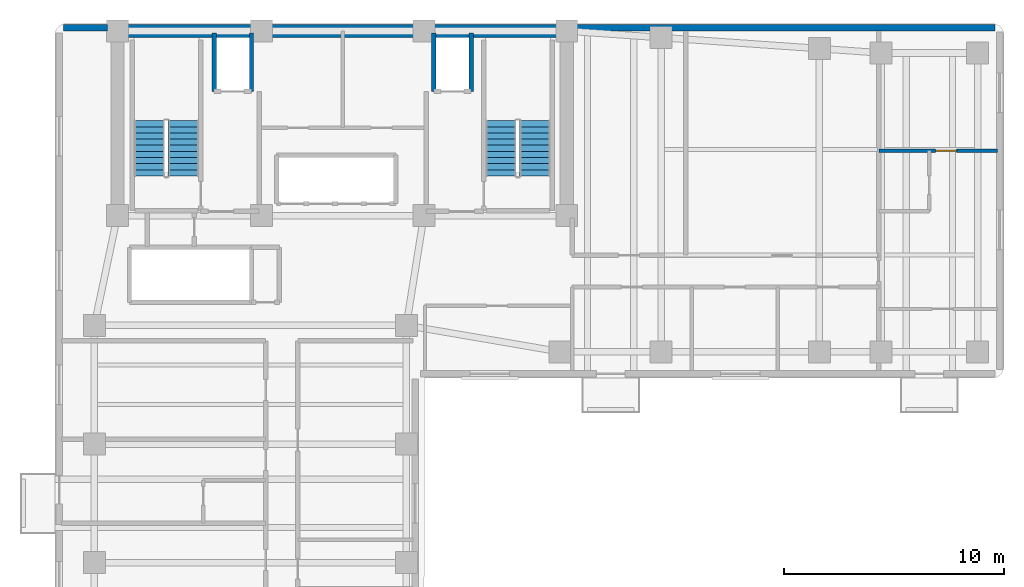
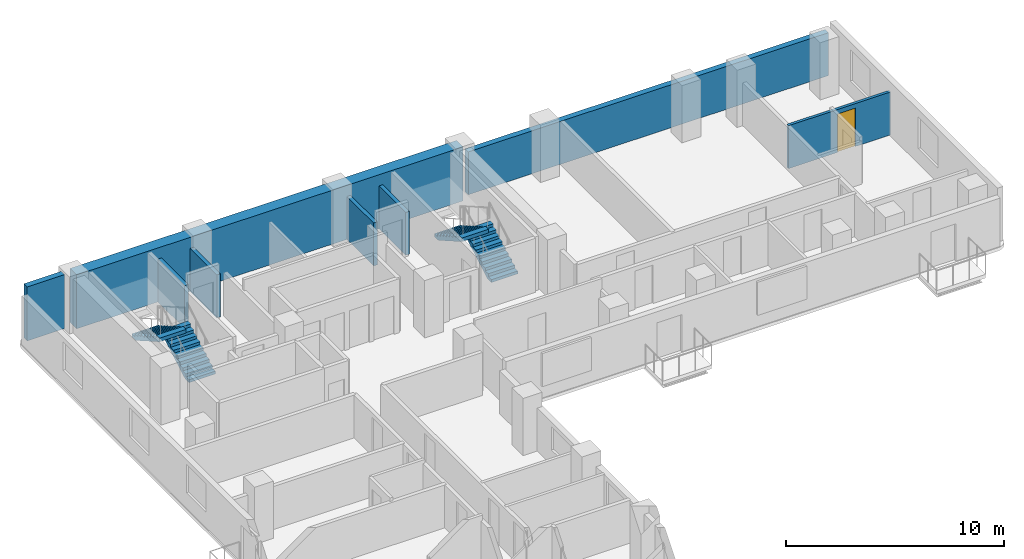
# One storey, part 5 of 7: 8 walls, 4 stair flights, 1 door, 1 opening, 2 elements without a shape of their own.
"""IFC4 building model written with IfcOpenShell, lengths in metres."""

from ifc_helpers import new_model, si_unit, direction, frame, frame_2d, origin, place, context, subcontext, project, spatial, polyline, rectangle, outline, extrude, material, layer, layer_set, type_object, element, fill, aggregate, save


model = new_model("IFC4")

# Units and contexts
model_context = context("Model", 3, precision=1e-05, world=origin(), true_north=direction((0.0, 1.0)))
body_context = subcontext(model_context, "Body", "Model", "MODEL_VIEW")
ifc_project = project(units=[si_unit("LENGTHUNIT", "METRE"), si_unit("AREAUNIT", "SQUARE_METRE"), si_unit("VOLUMEUNIT", "CUBIC_METRE"), si_unit("PLANEANGLEUNIT", "RADIAN"), si_unit("MASSUNIT", "GRAM", prefix="KILO")], contexts=[model_context])

# Site, building, storey
site_placement = place(None, origin())
site = spatial("IfcSite", under=ifc_project, at=site_placement, CompositionType="ELEMENT")
building_placement = place(site_placement, origin())
building = spatial("IfcBuilding", under=site, at=building_placement, Name="Kuzgunbayir Cultural Tower", CompositionType="ELEMENT")
storey_placement = place(building_placement, frame((0.0, 0.0, 110.60009765625)))
storey = spatial("IfcBuildingStorey", under=building, at=storey_placement, Name="L31", CompositionType="ELEMENT", Elevation=110.60009765625)

# Walls
ifc_material_1 = material(Name="Concrete C60/75", Category="concrete")
ifc_layer_1 = layer(ifc_material_1, 0.60009765625)
ifc_layer_set_1 = layer_set([ifc_layer_1], Name="Concrete C60/75")
wall_type_1 = type_object("IfcWallType", Name="WAL-CORE-600", PredefinedType="SHEAR", material=ifc_layer_set_1)
wall_1_placement = place(storey_placement, frame((6.449951171875, 42.199951171875, 0.0), z_axis=(0.0, 0.0, 1.0), x_axis=(1.0, 0.0, 0.0)))
element("IfcWall", 1, at=wall_1_placement, inside=storey, type_object=wall_type_1, Name="L31 T1 Core North Shear Wall", PredefinedType="SHEAR", context=body_context, shape_type="SweptSolid", body=[
    extrude(rectangle(XDim=20.449951171875, YDim=0.60009765625, at=frame_2d((10.22509765625, 0.0))), origin(), (0.0, 0.0, 1.0), 3.02001953125),
])
ifc_material_2 = material(Name="Anatolian Cream Limestone", Category="masonry")
ifc_layer_2 = layer(ifc_material_2, 0.300048828125)
ifc_layer_set_2 = layer_set([ifc_layer_2], Name="Anatolian Cream Limestone")
wall_type_2 = type_object("IfcWallType", Name="WAL-EXT-STONE-300", PredefinedType="STANDARD", material=ifc_layer_set_2)
wall_2_placement = place(storey_placement, frame((46.39990234375, 42.35009765625, 0.0), z_axis=(0.0, 0.0, 1.0), x_axis=(-1.0, 0.0, 0.0)))
element("IfcWall", 2, at=wall_2_placement, inside=storey, type_object=wall_type_2, Name="L31 North Wing B Limestone Wall", PredefinedType="STANDARD", context=body_context, shape_type="SweptSolid", body=[
    extrude(rectangle(XDim=19.0498046875, YDim=0.300048828125, at=frame_2d((9.52490234375, 0.0))), origin(), (0.0, 0.0, 1.0), 2.39990234375),
])
wall_3_placement = place(storey_placement, frame((6.0, 42.35009765625, 0.0), z_axis=(0.0, 0.0, 1.0), x_axis=(-1.0, 0.0, 0.0)))
element("IfcWall", 3, at=wall_3_placement, inside=storey, type_object=wall_type_2, Name="L31 Core North-West Spandrel Link", PredefinedType="STANDARD", context=body_context, shape_type="SweptSolid", body=[
    extrude(rectangle(XDim=2.0, YDim=0.300048828125, at=frame_2d((1.0, 0.0))), origin(), (0.0, 0.0, 1.0), 3.02001953125),
])

# Wall, opening, door
ifc_material_3 = material(Name="Acoustic Double-Stud Drywall", Category="gypsum")
ifc_layer_3 = layer(ifc_material_3, 0.14990234375)
ifc_layer_set_3 = layer_set([ifc_layer_3], Name="Acoustic Double-Stud Drywall")
wall_type_3 = type_object("IfcWallType", Name="WAL-PART-ACOUSTIC-150", PredefinedType="PARTITIONING", material=ifc_layer_set_3)
wall_4_placement = place(storey_placement, frame((41.10009765625, 36.75, 0.0), z_axis=(0.0, 0.0, 1.0), x_axis=(1.0, 0.0, 0.0)))
wall_4 = element("IfcWall", 4, at=wall_4_placement, inside=storey, type_object=wall_type_3, Name="L31 Corner Suite Bedroom Wall", PredefinedType="PARTITIONING", context=body_context, shape_type="SweptSolid", body=[
    extrude(rectangle(XDim=5.39990234375, YDim=0.14990234375, at=frame_2d((2.699951171875, 0.0))), origin(), (0.0, 0.0, 1.0), 2.39990234375),
])
opening_placement = place(wall_4_placement, frame((2.590087890625, 0.0, 0.0)))
opening = element("IfcOpeningElement", 5, at=opening_placement, cuts=wall_4, Name="Opening DI-90", PredefinedType="OPENING", context=body_context, shape_type="SweptSolid", body=[
    extrude(rectangle(XDim=0.949951171875, YDim=2.14990234375, at=frame_2d((0.47509765625, 1.074951171875))), frame((0.0, 0.0849609375, 0.0), z_axis=(0.0, -1.0, 0.0), x_axis=(1.0, 0.0, 0.0)), (0.0, 0.0, 1.0), 0.169921875),
])
ifc_material_4 = material(Name="Veneered Oak Single Leaf", Category="wood")
door_type = type_object("IfcDoorType", Name="DR-INT-90", OperationType="NOTDEFINED", PredefinedType="DOOR", material=ifc_material_4)
door_placement = place(opening_placement, origin())
door = element("IfcDoor", 6, at=door_placement, inside=storey, type_object=door_type, Name="L31 Corner Bedroom Door", OperationType="SINGLE_SWING_RIGHT", OverallHeight=2.14990234375, OverallWidth=0.949951171875, PredefinedType="DOOR", context=body_context, shape_type="SweptSolid", body=[
    extrude(rectangle(XDim=0.949951171875, YDim=2.14990234375, at=frame_2d((0.47509765625, 1.074951171875))), frame((0.0, 0.02490234375, 0.0), z_axis=(0.0, -1.0, 0.0), x_axis=(1.0, 0.0, 0.0)), (0.0, 0.0, 1.0), 0.050048828125),
])
fill(opening, door)

# Walls
ifc_material_5 = material(Name="Concrete C40/50", Category="concrete")
ifc_layer_4 = layer(ifc_material_5, 0.199951171875)
ifc_layer_set_4 = layer_set([ifc_layer_4], Name="Concrete C40/50")
wall_type_4 = type_object("IfcWallType", Name="WAL-SHAFT-200", PredefinedType="MOVABLE", material=ifc_layer_set_4)
for number, where, z_axis, x_axis, name in (
    (7, (10.85009765625, 39.449951171875, 0.0), (0.0, 0.0, 1.0), (0.0, 1.0, 0.0), "L31 FFL-1 Shaft West Wall"),
    (8, (12.550048828125, 39.449951171875, 0.0), (0.0, 0.0, 1.0), (0.0, 1.0, 0.0), "L31 FFL-1 Shaft East Wall"),
    (9, (20.85009765625, 39.449951171875, 0.0), (0.0, 0.0, 1.0), (0.0, 1.0, 0.0), "L31 FFL-2 Shaft West Wall"),
    (10, (22.550048828125, 39.449951171875, 0.0), (0.0, 0.0, 1.0), (0.0, 1.0, 0.0), "L31 FFL-2 Shaft East Wall"),
):
    element("IfcWall", number, at=place(storey_placement, frame(where, z_axis=z_axis, x_axis=x_axis)), inside=storey, type_object=wall_type_4, Name=name, PredefinedType="MOVABLE", context=body_context, shape_type="SweptSolid", body=[
        extrude(rectangle(XDim=2.650146484375, YDim=0.199951171875, at=frame_2d((1.3251953125, 0.0))), origin(), (0.0, 0.0, 1.0), 2.39990234375),
    ])

# Stair, stair flights
stair_type = type_object("IfcStairType", Name="STR-EXIT-CORE", PredefinedType="HALF_TURN_STAIR", material=ifc_material_5)
stair_1_placement = place(storey_placement, origin())
stair_1 = element("IfcStair", 11, at=stair_1_placement, inside=storey, type_object=stair_type, Name="L31 ST-1", PredefinedType="HALF_TURN_STAIR")
stair_flight_type = type_object("IfcStairFlightType", Name="STRF-RC-140", PredefinedType="STRAIGHT", material=ifc_material_5)
stair_flight_1_placement = place(storey_placement, frame((9.4599609375, 35.60009765625, 0.0), z_axis=(0.0, 0.0, 1.0), x_axis=(0.0, 1.0, 0.0)))
stair_flight_1 = element("IfcStairFlight", 12, at=stair_flight_1_placement, type_object=stair_flight_type, Name="ST-1 flight 1", NumberOfRisers=10, NumberOfTreads=9, PredefinedType="STRAIGHT", RiserHeight=0.16, TreadLength=0.28, context=body_context, shape_type="SweptSolid", body=[
    extrude(outline(polyline([(0.0, 0.0), (0.0, 0.159912109375), (0.280029296875, 0.159912109375), (0.280029296875, 0.320068359375), (0.56005859375, 0.320068359375), (0.56005859375, 0.47998046875), (0.840087890625, 0.47998046875), (0.840087890625, 0.639892578125), (1.1201171875, 0.639892578125), (1.1201171875, 0.800048828125), (1.39990234375, 0.800048828125), (1.39990234375, 0.9599609375), (1.679931640625, 0.9599609375), (1.679931640625, 1.1201171875), (1.9599609375, 1.1201171875), (1.9599609375, 1.280029296875), (2.239990234375, 1.280029296875), (2.239990234375, 1.43994140625), (2.52001953125, 1.43994140625), (2.52001953125, 1.60009765625), (2.52001953125, 1.232666015625), (0.362548828125, 0.0), (0.0, 0.0)])), frame((0.0, 0.699951171875, 0.0), z_axis=(0.0, -1.0, 0.0), x_axis=(1.0, 0.0, 0.0)), (0.0, 0.0, 1.0), 1.39990234375),
])
stair_flight_2_placement = place(storey_placement, frame((7.89990234375, 38.1201171875, 1.599853515625), z_axis=(0.0, 0.0, 1.0), x_axis=(0.0, -1.0, 0.0)))
stair_flight_2 = element("IfcStairFlight", 13, at=stair_flight_2_placement, type_object=stair_flight_type, Name="ST-1 flight 2", NumberOfRisers=10, NumberOfTreads=9, PredefinedType="STRAIGHT", RiserHeight=0.16, TreadLength=0.28, context=body_context, shape_type="SweptSolid", body=[
    extrude(outline(polyline([(0.0, 0.0), (0.0, 0.159912109375), (0.280029296875, 0.159912109375), (0.280029296875, 0.320068359375), (0.56005859375, 0.320068359375), (0.56005859375, 0.47998046875), (0.840087890625, 0.47998046875), (0.840087890625, 0.639892578125), (1.1201171875, 0.639892578125), (1.1201171875, 0.800048828125), (1.39990234375, 0.800048828125), (1.39990234375, 0.9599609375), (1.679931640625, 0.9599609375), (1.679931640625, 1.1201171875), (1.9599609375, 1.1201171875), (1.9599609375, 1.280029296875), (2.239990234375, 1.280029296875), (2.239990234375, 1.43994140625), (2.52001953125, 1.43994140625), (2.52001953125, 1.60009765625), (2.52001953125, 1.232666015625), (0.362548828125, 0.0), (0.0, 0.0)])), frame((0.0, 0.699951171875, 0.0), z_axis=(0.0, -1.0, 0.0), x_axis=(1.0, 0.0, 0.0)), (0.0, 0.0, 1.0), 1.39990234375),
])
aggregate(stair_1, [stair_flight_1, stair_flight_2])

stair_2_placement = place(storey_placement, origin())
stair_2 = element("IfcStair", 14, at=stair_2_placement, inside=storey, type_object=stair_type, Name="L31 ST-2", PredefinedType="HALF_TURN_STAIR")
stair_flight_3_placement = place(storey_placement, frame((25.4599609375, 35.60009765625, 0.0), z_axis=(0.0, 0.0, 1.0), x_axis=(0.0, 1.0, 0.0)))
stair_flight_3 = element("IfcStairFlight", 15, at=stair_flight_3_placement, type_object=stair_flight_type, Name="ST-2 flight 1", NumberOfRisers=10, NumberOfTreads=9, PredefinedType="STRAIGHT", RiserHeight=0.16, TreadLength=0.28, context=body_context, shape_type="SweptSolid", body=[
    extrude(outline(polyline([(0.0, 0.0), (0.0, 0.159912109375), (0.280029296875, 0.159912109375), (0.280029296875, 0.320068359375), (0.56005859375, 0.320068359375), (0.56005859375, 0.47998046875), (0.840087890625, 0.47998046875), (0.840087890625, 0.639892578125), (1.1201171875, 0.639892578125), (1.1201171875, 0.800048828125), (1.39990234375, 0.800048828125), (1.39990234375, 0.9599609375), (1.679931640625, 0.9599609375), (1.679931640625, 1.1201171875), (1.9599609375, 1.1201171875), (1.9599609375, 1.280029296875), (2.239990234375, 1.280029296875), (2.239990234375, 1.43994140625), (2.52001953125, 1.43994140625), (2.52001953125, 1.60009765625), (2.52001953125, 1.232666015625), (0.362548828125, 0.0), (0.0, 0.0)])), frame((0.0, 0.699951171875, 0.0), z_axis=(0.0, -1.0, 0.0), x_axis=(1.0, 0.0, 0.0)), (0.0, 0.0, 1.0), 1.39990234375),
])
stair_flight_4_placement = place(storey_placement, frame((23.89990234375, 38.1201171875, 1.599853515625), z_axis=(0.0, 0.0, 1.0), x_axis=(0.0, -1.0, 0.0)))
stair_flight_4 = element("IfcStairFlight", 16, at=stair_flight_4_placement, type_object=stair_flight_type, Name="ST-2 flight 2", NumberOfRisers=10, NumberOfTreads=9, PredefinedType="STRAIGHT", RiserHeight=0.16, TreadLength=0.28, context=body_context, shape_type="SweptSolid", body=[
    extrude(outline(polyline([(0.0, 0.0), (0.0, 0.159912109375), (0.280029296875, 0.159912109375), (0.280029296875, 0.320068359375), (0.56005859375, 0.320068359375), (0.56005859375, 0.47998046875), (0.840087890625, 0.47998046875), (0.840087890625, 0.639892578125), (1.1201171875, 0.639892578125), (1.1201171875, 0.800048828125), (1.39990234375, 0.800048828125), (1.39990234375, 0.9599609375), (1.679931640625, 0.9599609375), (1.679931640625, 1.1201171875), (1.9599609375, 1.1201171875), (1.9599609375, 1.280029296875), (2.239990234375, 1.280029296875), (2.239990234375, 1.43994140625), (2.52001953125, 1.43994140625), (2.52001953125, 1.60009765625), (2.52001953125, 1.232666015625), (0.362548828125, 0.0), (0.0, 0.0)])), frame((0.0, 0.699951171875, 0.0), z_axis=(0.0, -1.0, 0.0), x_axis=(1.0, 0.0, 0.0)), (0.0, 0.0, 1.0), 1.39990234375),
])
aggregate(stair_2, [stair_flight_3, stair_flight_4])

save(model, "model.ifc")
